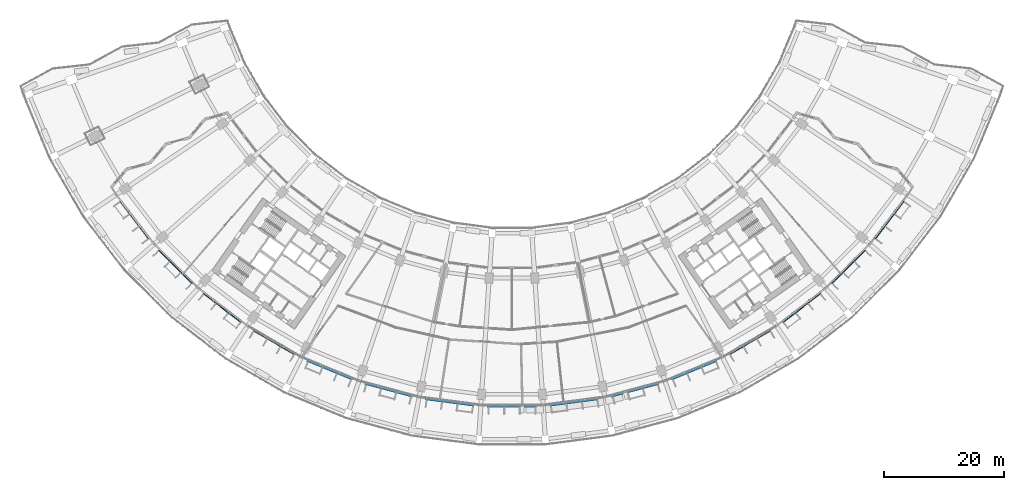
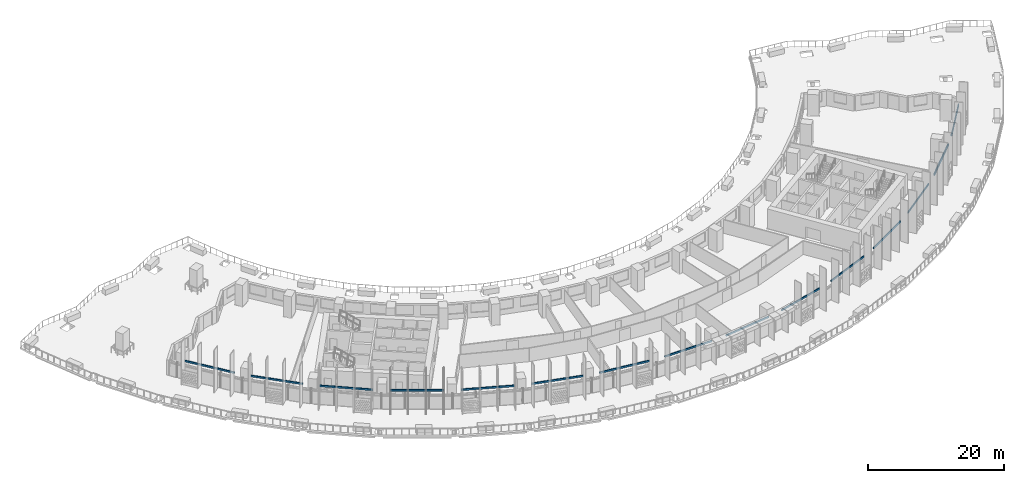
# One storey, part 9 of 35: 15 discrete accessories.
"""IFC4 building model written with IfcOpenShell, lengths in metres."""

from ifc_helpers import new_model, si_unit, direction, frame, origin, origin_2d, place, context, subcontext, project, spatial, rectangle, extrude, material, type_object, element, save


model = new_model("IFC4")

# Units and contexts
model_context = context("Model", 3, precision=1e-05, world=origin(), true_north=direction((0.0, 1.0)))
body_context = subcontext(model_context, "Body", "Model", "MODEL_VIEW")
ifc_project = project(units=[si_unit("LENGTHUNIT", "METRE"), si_unit("AREAUNIT", "SQUARE_METRE"), si_unit("VOLUMEUNIT", "CUBIC_METRE"), si_unit("PLANEANGLEUNIT", "RADIAN"), si_unit("MASSUNIT", "GRAM", prefix="KILO")], contexts=[model_context])

# Site, building, storey
site_placement = place(None, origin())
site = spatial("IfcSite", under=ifc_project, at=site_placement, CompositionType="ELEMENT")
building_placement = place(site_placement, origin())
building = spatial("IfcBuilding", under=site, at=building_placement, Name="Qamariyya Broadcast Tower", CompositionType="ELEMENT")
storey_placement = place(building_placement, frame((0.0, 0.0, 40.5)))
storey = spatial("IfcBuildingStorey", under=building, at=storey_placement, Name="L06", CompositionType="ELEMENT", Elevation=40.5)

# Discrete accessories
ifc_material = material(Name="Stainless steel 316", Category="steel")
discrete_accessory_type = type_object("IfcDiscreteAccessoryType", Name="Slab edge fixing angle, stainless steel", PredefinedType="BRACKET", material=ifc_material)
for number, where, z_axis, x_axis, name in (
    (1, (-63.11474609375, -48.4296875, 3.2998046875), (0.0, 0.0, 1.0), (0.608761429009, -0.793353340291, 0.0), "e-br-L06-01-0"),
    (2, (-56.25341796875, -56.25341796875, 3.2998046875), (0.0, 0.0, 1.0), (0.707106781187, -0.707106781187, 0.0), "e-br-L06-02-0"),
    (3, (-48.4296875, -63.11474609375, 3.2998046875), (0.0, 0.0, 1.0), (0.793353340291, -0.608761429009, 0.0), "e-br-L06-03-0"),
    (4, (-39.77734375, -68.896240234375, 3.2998046875), (0.0, 0.0, 1.0), (0.866025403784, -0.5, 0.0), "e-br-L06-04-0"),
    (5, (-30.444091796875, -73.498779296875, 3.2998046875), (0.0, 0.0, 1.0), (0.923879532511, -0.382683432365, 0.0), "e-br-L06-05-0"),
    (6, (-20.59033203125, -76.84375, 3.2998046875), (0.0, 0.0, 1.0), (0.965925826289, -0.258819045103, 0.0), "e-br-L06-06-0"),
    (7, (-10.384033203125, -78.873779296875, 3.2998046875), (0.0, 0.0, 1.0), (0.991444861374, -0.13052619222, 0.0), "e-br-L06-07-0"),
    (8, (0.0, -79.554443359375, 3.2998046875), (0.0, 0.0, 1.0), (1.0, 0.0, 0.0), "e-br-L06-08-0"),
    (9, (10.384033203125, -78.873779296875, 3.2998046875), (0.0, 0.0, 1.0), (0.991444861374, 0.13052619222, 0.0), "e-br-L06-09-0"),
    (10, (20.59033203125, -76.84375, 3.2998046875), (0.0, 0.0, 1.0), (0.965925826289, 0.258819045103, 0.0), "e-br-L06-10-0"),
    (11, (30.444091796875, -73.498779296875, 3.2998046875), (0.0, 0.0, 1.0), (0.923879532511, 0.382683432365, 0.0), "e-br-L06-11-0"),
    (12, (39.77734375, -68.896240234375, 3.2998046875), (0.0, 0.0, 1.0), (0.866025403784, 0.5, 0.0), "e-br-L06-12-0"),
    (13, (48.4296875, -63.11474609375, 3.2998046875), (0.0, 0.0, 1.0), (0.793353340291, 0.608761429009, 0.0), "e-br-L06-13-0"),
    (14, (56.25341796875, -56.25341796875, 3.2998046875), (0.0, 0.0, 1.0), (0.707106781187, 0.707106781187, 0.0), "e-br-L06-14-0"),
    (15, (63.11474609375, -48.4296875, 3.2998046875), (0.0, 0.0, 1.0), (0.608761429009, 0.793353340291, 0.0), "e-br-L06-15-0"),
):
    element("IfcDiscreteAccessory", number, at=place(storey_placement, frame(where, z_axis=z_axis, x_axis=x_axis)), inside=storey, type_object=discrete_accessory_type, Name=name, PredefinedType="BRACKET", context=body_context, shape_type="SweptSolid", body=[
        extrude(rectangle(XDim=7.9140625, YDim=0.14990234375, at=origin_2d()), origin(), (0.0, 0.0, 1.0), 0.300048828125),
    ])

save(model, "model.ifc")
